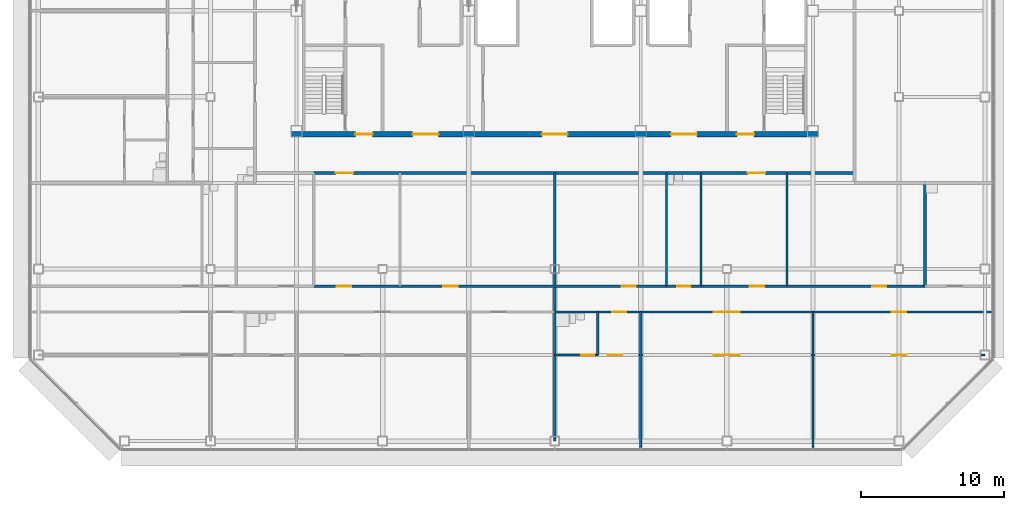
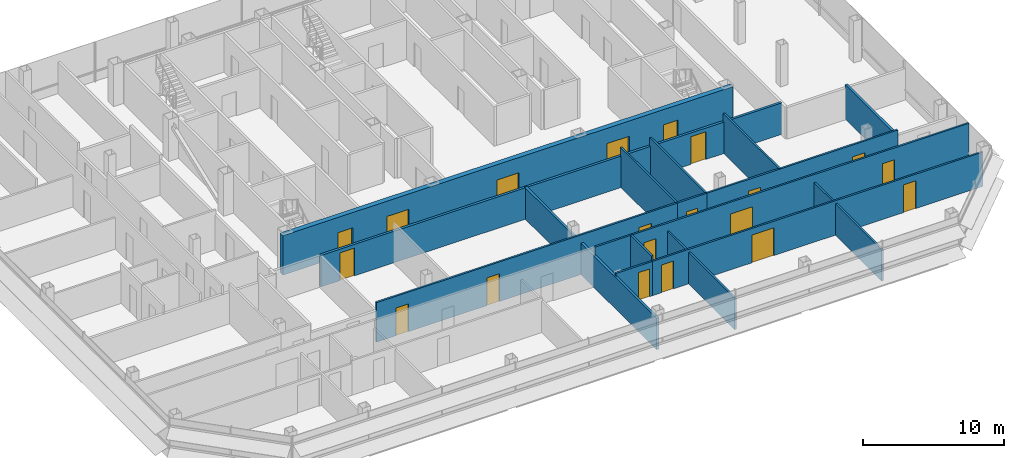
# One storey, part 21 of 26: 20 doors, 17 walls, 20 openings.
"""IFC4 building model written with IfcOpenShell, lengths in metres."""

from ifc_helpers import new_model, si_unit, direction, frame, frame_2d, origin, place, context, subcontext, project, spatial, rectangle, extrude, material, layer, layer_set, type_object, element, fill, save


model = new_model("IFC4")

# Units and contexts
model_context = context("Model", 3, precision=1e-05, world=origin(), true_north=direction((0.0, 1.0)))
body_context = subcontext(model_context, "Body", "Model", "MODEL_VIEW")
ifc_project = project(units=[si_unit("LENGTHUNIT", "METRE"), si_unit("AREAUNIT", "SQUARE_METRE"), si_unit("VOLUMEUNIT", "CUBIC_METRE"), si_unit("PLANEANGLEUNIT", "RADIAN"), si_unit("MASSUNIT", "GRAM", prefix="KILO")], contexts=[model_context])

# Site, building, storey
site_placement = place(None, origin())
site = spatial("IfcSite", under=ifc_project, at=site_placement, CompositionType="ELEMENT")
building_placement = place(site_placement, origin())
building = spatial("IfcBuilding", under=site, at=building_placement, Name="Sorahane Residences", CompositionType="ELEMENT")
storey_placement = place(building_placement, frame((0.0, 0.0, 215.39990234375)))
storey = spatial("IfcBuildingStorey", under=building, at=storey_placement, Name="L50", CompositionType="ELEMENT", Elevation=215.39990234375)

# Wall, openings, doors
ifc_material_1 = material(Name="Concrete blockwork C20 wall", Category="masonry")
ifc_layer_1 = layer(ifc_material_1, 0.199951171875)
ifc_layer_set_1 = layer_set([ifc_layer_1], Name="Corridor wall 200 EI 120")
wall_type_1 = type_object("IfcWallType", Name="Corridor wall 200 EI 120", PredefinedType="SOLIDWALL", material=ifc_layer_set_1)
wall_1_placement = place(storey_placement, frame((7.199951171875, 18.699951171875, 0.0), z_axis=(0.0, 0.0, 1.0), x_axis=(1.0, 0.0, 0.0)))
wall_1 = element("IfcWall", 1, at=wall_1_placement, inside=storey, type_object=wall_type_1, Name="L50 corridor wall", PredefinedType="SOLIDWALL", context=body_context, shape_type="SweptSolid", body=[
    extrude(rectangle(XDim=37.699951171875, YDim=0.199951171875, at=frame_2d((18.85009765625, 0.0))), origin(), (0.0, 0.0, 1.0), 2.72021484375),
])
opening_1_placement = place(wall_1_placement, frame((1.5400390625, 0.0, 0.0)))
opening_1 = element("IfcOpeningElement", 2, at=opening_1_placement, cuts=wall_1, Name="Opening L50-38", PredefinedType="OPENING", context=body_context, shape_type="SweptSolid", body=[
    extrude(rectangle(XDim=1.199951171875, YDim=2.39990234375, at=frame_2d((0.60009765625, 1.199951171875))), frame((0.0, 0.10986328125, 0.0), z_axis=(0.0, -1.0, 0.0), x_axis=(1.0, 0.0, 0.0)), (0.0, 0.0, 1.0), 0.219970703125),
])
opening_2_placement = place(wall_1_placement, frame((30.260009765625, 0.0, 0.0)))
opening_2 = element("IfcOpeningElement", 3, at=opening_2_placement, cuts=wall_1, Name="Opening L50-39", PredefinedType="OPENING", context=body_context, shape_type="SweptSolid", body=[
    extrude(rectangle(XDim=1.199951171875, YDim=2.39990234375, at=frame_2d((0.60009765625, 1.199951171875))), frame((0.0, 0.10986328125, 0.0), z_axis=(0.0, -1.0, 0.0), x_axis=(1.0, 0.0, 0.0)), (0.0, 0.0, 1.0), 0.219970703125),
])
ifc_material_2 = material(Name="Timber veneered fire door", Category="wood")
door_type_1 = type_object("IfcDoorType", Name="Flat entrance door 1200x2400 FD60", OperationType="NOTDEFINED", PredefinedType="DOOR", material=ifc_material_2)
door_1_placement = place(opening_1_placement, frame((1.199951171875, 0.0, 0.0), z_axis=(0.0, 0.0, 1.0), x_axis=(-1.0, 0.0, 0.0)))
door_1 = element("IfcDoor", 4, at=door_1_placement, inside=storey, type_object=door_type_1, Name="Flat entrance door L50-38", OperationType="SINGLE_SWING_RIGHT", OverallHeight=2.39990234375, OverallWidth=1.199951171875, PredefinedType="DOOR", context=body_context, shape_type="SweptSolid", body=[
    extrude(rectangle(XDim=1.199951171875, YDim=2.39990234375, at=frame_2d((0.60009765625, 1.199951171875))), frame((0.0, 0.02490234375, 0.0), z_axis=(0.0, -1.0, 0.0), x_axis=(1.0, 0.0, 0.0)), (0.0, 0.0, 1.0), 0.050048828125),
])
fill(opening_1, door_1)
door_2_placement = place(opening_2_placement, frame((1.199951171875, 0.0, 0.0), z_axis=(0.0, 0.0, 1.0), x_axis=(-1.0, 0.0, 0.0)))
door_2 = element("IfcDoor", 5, at=door_2_placement, inside=storey, type_object=door_type_1, Name="Flat entrance door L50-39", OperationType="SINGLE_SWING_LEFT", OverallHeight=2.39990234375, OverallWidth=1.199951171875, PredefinedType="DOOR", context=body_context, shape_type="SweptSolid", body=[
    extrude(rectangle(XDim=1.199951171875, YDim=2.39990234375, at=frame_2d((0.60009765625, 1.199951171875))), frame((0.0, 0.02490234375, 0.0), z_axis=(0.0, -1.0, 0.0), x_axis=(1.0, 0.0, 0.0)), (0.0, 0.0, 1.0), 0.050048828125),
])
fill(opening_2, door_2)

# Walls
ifc_material_3 = material(Name="Concrete blockwork C20 wall", Category="masonry")
ifc_layer_2 = layer(ifc_material_3, 0.199951171875)
ifc_layer_set_2 = layer_set([ifc_layer_2], Name="Kitchen wall 200 EI 180")
wall_type_2 = type_object("IfcWallType", Name="Kitchen wall 200 EI 180", PredefinedType="SOLIDWALL", material=ifc_layer_set_2)
wall_2_placement = place(storey_placement, frame((49.800048828125, 10.800048828125, 0.0), z_axis=(0.0, 0.0, 1.0), x_axis=(0.0, 1.0, 0.0)))
element("IfcWall", 6, at=wall_2_placement, inside=storey, type_object=wall_type_2, Name="L50 kitchen wall", PredefinedType="SOLIDWALL", context=body_context, shape_type="SweptSolid", body=[
    extrude(rectangle(XDim=7.199951171875, YDim=0.199951171875, at=frame_2d((3.60009765625, 0.0))), origin(), (0.0, 0.0, 1.0), 2.97021484375),
])
ifc_material_4 = material(Name="Gypsum board partition on steel studs", Category="steel")
ifc_layer_3 = layer(ifc_material_4, 0.14990234375)
ifc_layer_set_3 = layer_set([ifc_layer_3], Name="Partition 150 EI 90")
wall_type_3 = type_object("IfcWallType", Name="Partition 150 EI 90", PredefinedType="PARTITIONING", material=ifc_layer_set_3)
wall_3_placement = place(storey_placement, frame((30.0, -0.60009765625, 0.0), z_axis=(0.0, 0.0, 1.0), x_axis=(0.0, 1.0, 0.0)))
element("IfcWall", 7, at=wall_3_placement, inside=storey, type_object=wall_type_3, Name="L50 partition", PredefinedType="PARTITIONING", context=body_context, shape_type="SweptSolid", body=[
    extrude(rectangle(XDim=9.60009765625, YDim=0.14990234375, at=frame_2d((4.800048828125, 0.0))), origin(), (0.0, 0.0, 1.0), 2.72021484375),
])
wall_4_placement = place(storey_placement, frame((40.199951171875, 10.800048828125, 0.0), z_axis=(0.0, 0.0, 1.0), x_axis=(0.0, 1.0, 0.0)))
element("IfcWall", 8, at=wall_4_placement, inside=storey, type_object=wall_type_3, Name="L50 partition", PredefinedType="PARTITIONING", context=body_context, shape_type="SweptSolid", body=[
    extrude(rectangle(XDim=7.89990234375, YDim=0.14990234375, at=frame_2d((3.949951171875, 0.0))), origin(), (0.0, 0.0, 1.0), 3.420166015625),
])
wall_5_placement = place(storey_placement, frame((42.0, -0.60009765625, 0.0), z_axis=(0.0, 0.0, 1.0), x_axis=(0.0, 1.0, 0.0)))
element("IfcWall", 9, at=wall_5_placement, inside=storey, type_object=wall_type_3, Name="L50 partition", PredefinedType="PARTITIONING", context=body_context, shape_type="SweptSolid", body=[
    extrude(rectangle(XDim=9.60009765625, YDim=0.14990234375, at=frame_2d((4.800048828125, 0.0))), origin(), (0.0, 0.0, 1.0), 2.72021484375),
])

# Wall, openings, doors
wall_6_placement = place(storey_placement, frame((7.199951171875, 10.800048828125, 0.0), z_axis=(0.0, 0.0, 1.0), x_axis=(1.0, 0.0, 0.0)))
wall_6 = element("IfcWall", 10, at=wall_6_placement, inside=storey, type_object=wall_type_3, Name="L50 partition", PredefinedType="PARTITIONING", context=body_context, shape_type="SweptSolid", body=[
    extrude(rectangle(XDim=24.60009765625, YDim=0.14990234375, at=frame_2d((12.300048828125, 0.0))), origin(), (0.0, 0.0, 1.0), 3.420166015625),
])
opening_3_placement = place(wall_6_placement, frame((1.60009765625, 0.0, 0.0)))
opening_3 = element("IfcOpeningElement", 11, at=opening_3_placement, cuts=wall_6, Name="Opening L50-01", PredefinedType="OPENING", context=body_context, shape_type="SweptSolid", body=[
    extrude(rectangle(XDim=1.0, YDim=2.39990234375, at=frame_2d((0.5, 1.199951171875))), frame((0.0, 0.0849609375, 0.0), z_axis=(0.0, -1.0, 0.0), x_axis=(1.0, 0.0, 0.0)), (0.0, 0.0, 1.0), 0.169921875),
])
opening_4_placement = place(wall_6_placement, frame((9.0400390625, 0.0, 0.0)))
opening_4 = element("IfcOpeningElement", 12, at=opening_4_placement, cuts=wall_6, Name="Opening L50-05", PredefinedType="OPENING", context=body_context, shape_type="SweptSolid", body=[
    extrude(rectangle(XDim=1.0, YDim=2.39990234375, at=frame_2d((0.5, 1.199951171875))), frame((0.0, 0.0849609375, 0.0), z_axis=(0.0, -1.0, 0.0), x_axis=(1.0, 0.0, 0.0)), (0.0, 0.0, 1.0), 0.169921875),
])
opening_5_placement = place(wall_6_placement, frame((21.4599609375, 0.0, 0.0)))
opening_5 = element("IfcOpeningElement", 13, at=opening_5_placement, cuts=wall_6, Name="Opening L50-15", PredefinedType="OPENING", context=body_context, shape_type="SweptSolid", body=[
    extrude(rectangle(XDim=1.0, YDim=2.39990234375, at=frame_2d((0.5, 1.199951171875))), frame((0.0, 0.0849609375, 0.0), z_axis=(0.0, -1.0, 0.0), x_axis=(1.0, 0.0, 0.0)), (0.0, 0.0, 1.0), 0.169921875),
])
ifc_material_5 = material(Name="Timber veneered fire door", Category="wood")
door_type_2 = type_object("IfcDoorType", Name="Room door 1000x2400 FD30", OperationType="NOTDEFINED", PredefinedType="DOOR", material=ifc_material_5)
door_3_placement = place(opening_3_placement, frame((1.0, 0.0, 0.0), z_axis=(0.0, 0.0, 1.0), x_axis=(-1.0, 0.0, 0.0)))
door_3 = element("IfcDoor", 14, at=door_3_placement, inside=storey, type_object=door_type_2, Name="Room door L50-01", OperationType="SINGLE_SWING_RIGHT", OverallHeight=2.39990234375, OverallWidth=1.0, PredefinedType="DOOR", context=body_context, shape_type="SweptSolid", body=[
    extrude(rectangle(XDim=1.0, YDim=2.39990234375, at=frame_2d((0.5, 1.199951171875))), frame((0.0, 0.02490234375, 0.0), z_axis=(0.0, -1.0, 0.0), x_axis=(1.0, 0.0, 0.0)), (0.0, 0.0, 1.0), 0.050048828125),
])
fill(opening_3, door_3)
door_4_placement = place(opening_4_placement, origin())
door_4 = element("IfcDoor", 15, at=door_4_placement, inside=storey, type_object=door_type_2, Name="Room door L50-05", OperationType="SINGLE_SWING_LEFT", OverallHeight=2.39990234375, OverallWidth=1.0, PredefinedType="DOOR", context=body_context, shape_type="SweptSolid", body=[
    extrude(rectangle(XDim=1.0, YDim=2.39990234375, at=frame_2d((0.5, 1.199951171875))), frame((0.0, 0.02490234375, 0.0), z_axis=(0.0, -1.0, 0.0), x_axis=(1.0, 0.0, 0.0)), (0.0, 0.0, 1.0), 0.050048828125),
])
fill(opening_4, door_4)
door_5_placement = place(opening_5_placement, origin())
door_5 = element("IfcDoor", 16, at=door_5_placement, inside=storey, type_object=door_type_2, Name="Room door L50-15", OperationType="SINGLE_SWING_RIGHT", OverallHeight=2.39990234375, OverallWidth=1.0, PredefinedType="DOOR", context=body_context, shape_type="SweptSolid", body=[
    extrude(rectangle(XDim=1.0, YDim=2.39990234375, at=frame_2d((0.5, 1.199951171875))), frame((0.0, 0.02490234375, 0.0), z_axis=(0.0, -1.0, 0.0), x_axis=(1.0, 0.0, 0.0)), (0.0, 0.0, 1.0), 0.050048828125),
])
fill(opening_5, door_5)

wall_7_placement = place(storey_placement, frame((34.199951171875, 10.800048828125, 0.0), z_axis=(0.0, 0.0, 1.0), x_axis=(1.0, 0.0, 0.0)))
wall_7 = element("IfcWall", 17, at=wall_7_placement, inside=storey, type_object=wall_type_3, Name="L50 partition", PredefinedType="PARTITIONING", context=body_context, shape_type="SweptSolid", body=[
    extrude(rectangle(XDim=15.60009765625, YDim=0.14990234375, at=frame_2d((7.800048828125, 0.0))), origin(), (0.0, 0.0, 1.0), 3.420166015625),
])
opening_6_placement = place(wall_7_placement, frame((3.39990234375, 0.0, 0.0)))
opening_6 = element("IfcOpeningElement", 18, at=opening_6_placement, cuts=wall_7, Name="Opening L50-14", PredefinedType="OPENING", context=body_context, shape_type="SweptSolid", body=[
    extrude(rectangle(XDim=1.0, YDim=2.39990234375, at=frame_2d((0.5, 1.199951171875))), frame((0.0, 0.0849609375, 0.0), z_axis=(0.0, -1.0, 0.0), x_axis=(1.0, 0.0, 0.0)), (0.0, 0.0, 1.0), 0.169921875),
])
opening_7_placement = place(wall_7_placement, frame((11.919921875, 0.0, 0.0)))
opening_7 = element("IfcOpeningElement", 19, at=opening_7_placement, cuts=wall_7, Name="Opening L50-17", PredefinedType="OPENING", context=body_context, shape_type="SweptSolid", body=[
    extrude(rectangle(XDim=1.0, YDim=2.39990234375, at=frame_2d((0.5, 1.199951171875))), frame((0.0, 0.0849609375, 0.0), z_axis=(0.0, -1.0, 0.0), x_axis=(1.0, 0.0, 0.0)), (0.0, 0.0, 1.0), 0.169921875),
])
door_6_placement = place(opening_6_placement, frame((1.0, 0.0, 0.0), z_axis=(0.0, 0.0, 1.0), x_axis=(-1.0, 0.0, 0.0)))
door_6 = element("IfcDoor", 20, at=door_6_placement, inside=storey, type_object=door_type_2, Name="Room door L50-14", OperationType="SINGLE_SWING_LEFT", OverallHeight=2.39990234375, OverallWidth=1.0, PredefinedType="DOOR", context=body_context, shape_type="SweptSolid", body=[
    extrude(rectangle(XDim=1.0, YDim=2.39990234375, at=frame_2d((0.5, 1.199951171875))), frame((0.0, 0.02490234375, 0.0), z_axis=(0.0, -1.0, 0.0), x_axis=(1.0, 0.0, 0.0)), (0.0, 0.0, 1.0), 0.050048828125),
])
fill(opening_6, door_6)
door_7_placement = place(opening_7_placement, origin())
door_7 = element("IfcDoor", 21, at=door_7_placement, inside=storey, type_object=door_type_2, Name="Room door L50-17", OperationType="SINGLE_SWING_RIGHT", OverallHeight=2.39990234375, OverallWidth=1.0, PredefinedType="DOOR", context=body_context, shape_type="SweptSolid", body=[
    extrude(rectangle(XDim=1.0, YDim=2.39990234375, at=frame_2d((0.5, 1.199951171875))), frame((0.0, 0.02490234375, 0.0), z_axis=(0.0, -1.0, 0.0), x_axis=(1.0, 0.0, 0.0)), (0.0, 0.0, 1.0), 0.050048828125),
])
fill(opening_7, door_7)

wall_8_placement = place(storey_placement, frame((27.0, 6.0, 0.0), z_axis=(0.0, 0.0, 1.0), x_axis=(1.0, 0.0, 0.0)))
wall_8 = element("IfcWall", 22, at=wall_8_placement, inside=storey, type_object=wall_type_3, Name="L50 partition", PredefinedType="PARTITIONING", context=body_context, shape_type="SweptSolid", body=[
    extrude(rectangle(XDim=27.0, YDim=0.14990234375, at=frame_2d((13.5, 0.0))), origin(), (0.0, 0.0, 1.0), 2.97021484375),
])
opening_8_placement = place(wall_8_placement, frame((0.699951171875, 0.0, 0.0)))
opening_8 = element("IfcOpeningElement", 23, at=opening_8_placement, cuts=wall_8, Name="Opening L50-22", PredefinedType="OPENING", context=body_context, shape_type="SweptSolid", body=[
    extrude(rectangle(XDim=1.0, YDim=2.39990234375, at=frame_2d((0.5, 1.199951171875))), frame((0.0, 0.0849609375, 0.0), z_axis=(0.0, -1.0, 0.0), x_axis=(1.0, 0.0, 0.0)), (0.0, 0.0, 1.0), 0.169921875),
])
opening_9_placement = place(wall_8_placement, frame((8.10009765625, 0.0, 0.0)))
opening_9 = element("IfcOpeningElement", 24, at=opening_9_placement, cuts=wall_8, Name="Opening L50-24", PredefinedType="OPENING", context=body_context, shape_type="SweptSolid", body=[
    extrude(rectangle(XDim=1.800048828125, YDim=2.39990234375, at=frame_2d((0.89990234375, 1.199951171875))), frame((0.0, 0.0849609375, 0.0), z_axis=(0.0, -1.0, 0.0), x_axis=(1.0, 0.0, 0.0)), (0.0, 0.0, 1.0), 0.169921875),
])
opening_10_placement = place(wall_8_placement, frame((20.5, 0.0, 0.0)))
opening_10 = element("IfcOpeningElement", 25, at=opening_10_placement, cuts=wall_8, Name="Opening L50-25", PredefinedType="OPENING", context=body_context, shape_type="SweptSolid", body=[
    extrude(rectangle(XDim=1.0, YDim=2.39990234375, at=frame_2d((0.5, 1.199951171875))), frame((0.0, 0.0849609375, 0.0), z_axis=(0.0, -1.0, 0.0), x_axis=(1.0, 0.0, 0.0)), (0.0, 0.0, 1.0), 0.169921875),
])
ifc_material_6 = material(Name="Timber veneered fire door", Category="wood")
door_type_3 = type_object("IfcDoorType", Name="Double door 1800x2400 FD30", OperationType="NOTDEFINED", PredefinedType="DOOR", material=ifc_material_6)
door_8_placement = place(opening_9_placement, frame((1.800048828125, 0.0, 0.0), z_axis=(0.0, 0.0, 1.0), x_axis=(-1.0, 0.0, 0.0)))
door_8 = element("IfcDoor", 26, at=door_8_placement, inside=storey, type_object=door_type_3, Name="Double door L50-24", OperationType="SINGLE_SWING_LEFT", OverallHeight=2.39990234375, OverallWidth=1.800048828125, PredefinedType="DOOR", context=body_context, shape_type="SweptSolid", body=[
    extrude(rectangle(XDim=1.800048828125, YDim=2.39990234375, at=frame_2d((0.89990234375, 1.199951171875))), frame((0.0, 0.02490234375, 0.0), z_axis=(0.0, -1.0, 0.0), x_axis=(1.0, 0.0, 0.0)), (0.0, 0.0, 1.0), 0.050048828125),
])
fill(opening_9, door_8)
door_9_placement = place(opening_8_placement, frame((1.0, 0.0, 0.0), z_axis=(0.0, 0.0, 1.0), x_axis=(-1.0, 0.0, 0.0)))
door_9 = element("IfcDoor", 27, at=door_9_placement, inside=storey, type_object=door_type_2, Name="Room door L50-22", OperationType="SINGLE_SWING_LEFT", OverallHeight=2.39990234375, OverallWidth=1.0, PredefinedType="DOOR", context=body_context, shape_type="SweptSolid", body=[
    extrude(rectangle(XDim=1.0, YDim=2.39990234375, at=frame_2d((0.5, 1.199951171875))), frame((0.0, 0.02490234375, 0.0), z_axis=(0.0, -1.0, 0.0), x_axis=(1.0, 0.0, 0.0)), (0.0, 0.0, 1.0), 0.050048828125),
])
fill(opening_8, door_9)
door_10_placement = place(opening_10_placement, frame((1.0, 0.0, 0.0), z_axis=(0.0, 0.0, 1.0), x_axis=(-1.0, 0.0, 0.0)))
door_10 = element("IfcDoor", 28, at=door_10_placement, inside=storey, type_object=door_type_2, Name="Room door L50-25", OperationType="SINGLE_SWING_RIGHT", OverallHeight=2.39990234375, OverallWidth=1.0, PredefinedType="DOOR", context=body_context, shape_type="SweptSolid", body=[
    extrude(rectangle(XDim=1.0, YDim=2.39990234375, at=frame_2d((0.5, 1.199951171875))), frame((0.0, 0.02490234375, 0.0), z_axis=(0.0, -1.0, 0.0), x_axis=(1.0, 0.0, 0.0)), (0.0, 0.0, 1.0), 0.050048828125),
])
fill(opening_10, door_10)

wall_9_placement = place(storey_placement, frame((27.0, 9.0, 0.0), z_axis=(0.0, 0.0, 1.0), x_axis=(1.0, 0.0, 0.0)))
wall_9 = element("IfcWall", 29, at=wall_9_placement, inside=storey, type_object=wall_type_3, Name="L50 partition", PredefinedType="PARTITIONING", context=body_context, shape_type="SweptSolid", body=[
    extrude(rectangle(XDim=27.60009765625, YDim=0.14990234375, at=frame_2d((13.800048828125, 0.0))), origin(), (0.0, 0.0, 1.0), 3.420166015625),
])
opening_11_placement = place(wall_9_placement, frame((1.0, 0.0, 0.0)))
opening_11 = element("IfcOpeningElement", 30, at=opening_11_placement, cuts=wall_9, Name="Opening L50-19", PredefinedType="OPENING", context=body_context, shape_type="SweptSolid", body=[
    extrude(rectangle(XDim=1.0, YDim=2.39990234375, at=frame_2d((0.5, 1.199951171875))), frame((0.0, 0.0849609375, 0.0), z_axis=(0.0, -1.0, 0.0), x_axis=(1.0, 0.0, 0.0)), (0.0, 0.0, 1.0), 0.169921875),
])
opening_12_placement = place(wall_9_placement, frame((8.10009765625, 0.0, 0.0)))
opening_12 = element("IfcOpeningElement", 31, at=opening_12_placement, cuts=wall_9, Name="Opening L50-20", PredefinedType="OPENING", context=body_context, shape_type="SweptSolid", body=[
    extrude(rectangle(XDim=1.800048828125, YDim=2.39990234375, at=frame_2d((0.89990234375, 1.199951171875))), frame((0.0, 0.0849609375, 0.0), z_axis=(0.0, -1.0, 0.0), x_axis=(1.0, 0.0, 0.0)), (0.0, 0.0, 1.0), 0.169921875),
])
opening_13_placement = place(wall_9_placement, frame((20.5, 0.0, 0.0)))
opening_13 = element("IfcOpeningElement", 32, at=opening_13_placement, cuts=wall_9, Name="Opening L50-21", PredefinedType="OPENING", context=body_context, shape_type="SweptSolid", body=[
    extrude(rectangle(XDim=1.0, YDim=2.39990234375, at=frame_2d((0.5, 1.199951171875))), frame((0.0, 0.0849609375, 0.0), z_axis=(0.0, -1.0, 0.0), x_axis=(1.0, 0.0, 0.0)), (0.0, 0.0, 1.0), 0.169921875),
])
door_11_placement = place(opening_12_placement, frame((1.800048828125, 0.0, 0.0), z_axis=(0.0, 0.0, 1.0), x_axis=(-1.0, 0.0, 0.0)))
door_11 = element("IfcDoor", 33, at=door_11_placement, inside=storey, type_object=door_type_3, Name="Double door L50-20", OperationType="SINGLE_SWING_RIGHT", OverallHeight=2.39990234375, OverallWidth=1.800048828125, PredefinedType="DOOR", context=body_context, shape_type="SweptSolid", body=[
    extrude(rectangle(XDim=1.800048828125, YDim=2.39990234375, at=frame_2d((0.89990234375, 1.199951171875))), frame((0.0, 0.02490234375, 0.0), z_axis=(0.0, -1.0, 0.0), x_axis=(1.0, 0.0, 0.0)), (0.0, 0.0, 1.0), 0.050048828125),
])
fill(opening_12, door_11)
door_12_placement = place(opening_11_placement, frame((1.0, 0.0, 0.0), z_axis=(0.0, 0.0, 1.0), x_axis=(-1.0, 0.0, 0.0)))
door_12 = element("IfcDoor", 34, at=door_12_placement, inside=storey, type_object=door_type_2, Name="Room door L50-19", OperationType="SINGLE_SWING_RIGHT", OverallHeight=2.39990234375, OverallWidth=1.0, PredefinedType="DOOR", context=body_context, shape_type="SweptSolid", body=[
    extrude(rectangle(XDim=1.0, YDim=2.39990234375, at=frame_2d((0.5, 1.199951171875))), frame((0.0, 0.02490234375, 0.0), z_axis=(0.0, -1.0, 0.0), x_axis=(1.0, 0.0, 0.0)), (0.0, 0.0, 1.0), 0.050048828125),
])
fill(opening_11, door_12)
door_13_placement = place(opening_13_placement, frame((1.0, 0.0, 0.0), z_axis=(0.0, 0.0, 1.0), x_axis=(-1.0, 0.0, 0.0)))
door_13 = element("IfcDoor", 35, at=door_13_placement, inside=storey, type_object=door_type_2, Name="Room door L50-21", OperationType="SINGLE_SWING_RIGHT", OverallHeight=2.39990234375, OverallWidth=1.0, PredefinedType="DOOR", context=body_context, shape_type="SweptSolid", body=[
    extrude(rectangle(XDim=1.0, YDim=2.39990234375, at=frame_2d((0.5, 1.199951171875))), frame((0.0, 0.02490234375, 0.0), z_axis=(0.0, -1.0, 0.0), x_axis=(1.0, 0.0, 0.0)), (0.0, 0.0, 1.0), 0.050048828125),
])
fill(opening_13, door_13)

# Wall
ifc_material_7 = material(Name="Concrete blockwork C20 wall", Category="masonry")
ifc_layer_4 = layer(ifc_material_7, 0.199951171875)
ifc_layer_set_4 = layer_set([ifc_layer_4], Name="Party wall 200 EI 120")
wall_type_4 = type_object("IfcWallType", Name="Party wall 200 EI 120", PredefinedType="SOLIDWALL", material=ifc_layer_set_4)
wall_10_placement = place(storey_placement, frame((24.0, 0.0, 0.0), z_axis=(0.0, 0.0, 1.0), x_axis=(0.0, 1.0, 0.0)))
element("IfcWall", 36, at=wall_10_placement, inside=storey, type_object=wall_type_4, Name="L50 party wall", PredefinedType="SOLIDWALL", context=body_context, shape_type="SweptSolid", body=[
    extrude(rectangle(XDim=18.699951171875, YDim=0.199951171875, at=frame_2d((9.35009765625, 0.0))), origin(), (0.0, 0.0, 1.0), 2.72021484375),
])

# Wall, openings, doors
ifc_material_8 = material(Name="Concrete C30", Category="concrete")
ifc_layer_5 = layer(ifc_material_8, 0.39990234375)
ifc_layer_set_5 = layer_set([ifc_layer_5], Name="Waiting hall wall 400 EI 120")
wall_type_5 = type_object("IfcWallType", Name="Waiting hall wall 400 EI 120", PredefinedType="SOLIDWALL", material=ifc_layer_set_5)
wall_11_placement = place(storey_placement, frame((5.60009765625, 21.39990234375, 0.0), z_axis=(0.0, 0.0, 1.0), x_axis=(1.0, 0.0, 0.0)))
wall_11 = element("IfcWall", 37, at=wall_11_placement, inside=storey, type_object=wall_type_5, Name="L50 waiting hall wall", PredefinedType="SOLIDWALL", context=body_context, shape_type="SweptSolid", body=[
    extrude(rectangle(XDim=36.7998046875, YDim=0.39990234375, at=frame_2d((18.39990234375, 0.0))), origin(), (0.0, 0.0, 1.0), 3.420166015625),
])
opening_14_placement = place(wall_11_placement, frame((8.5, 0.0, 0.0)))
opening_14 = element("IfcOpeningElement", 38, at=opening_14_placement, cuts=wall_11, Name="Opening L50-C01", PredefinedType="OPENING", context=body_context, shape_type="SweptSolid", body=[
    extrude(rectangle(XDim=1.800048828125, YDim=2.10009765625, at=frame_2d((0.89990234375, 1.050048828125))), frame((0.0, 0.2099609375, 0.0), z_axis=(0.0, -1.0, 0.0), x_axis=(1.0, 0.0, 0.0)), (0.0, 0.0, 1.0), 0.419921875),
])
opening_15_placement = place(wall_11_placement, frame((17.5, 0.0, 0.0)))
opening_15 = element("IfcOpeningElement", 39, at=opening_15_placement, cuts=wall_11, Name="Opening L50-C03", PredefinedType="OPENING", context=body_context, shape_type="SweptSolid", body=[
    extrude(rectangle(XDim=1.800048828125, YDim=2.10009765625, at=frame_2d((0.89990234375, 1.050048828125))), frame((0.0, 0.2099609375, 0.0), z_axis=(0.0, -1.0, 0.0), x_axis=(1.0, 0.0, 0.0)), (0.0, 0.0, 1.0), 0.419921875),
])
opening_16_placement = place(wall_11_placement, frame((26.5, 0.0, 0.0)))
opening_16 = element("IfcOpeningElement", 40, at=opening_16_placement, cuts=wall_11, Name="Opening L50-C04", PredefinedType="OPENING", context=body_context, shape_type="SweptSolid", body=[
    extrude(rectangle(XDim=1.800048828125, YDim=2.10009765625, at=frame_2d((0.89990234375, 1.050048828125))), frame((0.0, 0.2099609375, 0.0), z_axis=(0.0, -1.0, 0.0), x_axis=(1.0, 0.0, 0.0)), (0.0, 0.0, 1.0), 0.419921875),
])
opening_17_placement = place(wall_11_placement, frame((4.5, 0.0, 0.0)))
opening_17 = element("IfcOpeningElement", 41, at=opening_17_placement, cuts=wall_11, Name="Opening L50-C05", PredefinedType="OPENING", context=body_context, shape_type="SweptSolid", body=[
    extrude(rectangle(XDim=1.199951171875, YDim=2.10009765625, at=frame_2d((0.60009765625, 1.050048828125))), frame((0.0, 0.2099609375, 0.0), z_axis=(0.0, -1.0, 0.0), x_axis=(1.0, 0.0, 0.0)), (0.0, 0.0, 1.0), 0.419921875),
])
opening_18_placement = place(wall_11_placement, frame((31.10009765625, 0.0, 0.0)))
opening_18 = element("IfcOpeningElement", 42, at=opening_18_placement, cuts=wall_11, Name="Opening L50-C06", PredefinedType="OPENING", context=body_context, shape_type="SweptSolid", body=[
    extrude(rectangle(XDim=1.199951171875, YDim=2.10009765625, at=frame_2d((0.60009765625, 1.050048828125))), frame((0.0, 0.2099609375, 0.0), z_axis=(0.0, -1.0, 0.0), x_axis=(1.0, 0.0, 0.0)), (0.0, 0.0, 1.0), 0.419921875),
])
ifc_material_9 = material(Name="Steel", Category="steel")
door_type_4 = type_object("IfcDoorType", Name="Stair front room door 1200x2100 FD120", OperationType="NOTDEFINED", PredefinedType="DOOR", material=ifc_material_9)
door_14_placement = place(opening_17_placement, frame((1.199951171875, 0.0, 0.0), z_axis=(0.0, 0.0, 1.0), x_axis=(-1.0, 0.0, 0.0)))
door_14 = element("IfcDoor", 43, at=door_14_placement, inside=storey, type_object=door_type_4, Name="Stair front room door Stair S4 front room L50", OperationType="SINGLE_SWING_LEFT", OverallHeight=2.10009765625, OverallWidth=1.199951171875, PredefinedType="DOOR", context=body_context, shape_type="SweptSolid", body=[
    extrude(rectangle(XDim=1.199951171875, YDim=2.10009765625, at=frame_2d((0.60009765625, 1.050048828125))), frame((0.0, 0.02490234375, 0.0), z_axis=(0.0, -1.0, 0.0), x_axis=(1.0, 0.0, 0.0)), (0.0, 0.0, 1.0), 0.050048828125),
])
fill(opening_17, door_14)
door_15_placement = place(opening_18_placement, frame((1.199951171875, 0.0, 0.0), z_axis=(0.0, 0.0, 1.0), x_axis=(-1.0, 0.0, 0.0)))
door_15 = element("IfcDoor", 44, at=door_15_placement, inside=storey, type_object=door_type_4, Name="Stair front room door Stair S5 front room L50", OperationType="SINGLE_SWING_LEFT", OverallHeight=2.10009765625, OverallWidth=1.199951171875, PredefinedType="DOOR", context=body_context, shape_type="SweptSolid", body=[
    extrude(rectangle(XDim=1.199951171875, YDim=2.10009765625, at=frame_2d((0.60009765625, 1.050048828125))), frame((0.0, 0.02490234375, 0.0), z_axis=(0.0, -1.0, 0.0), x_axis=(1.0, 0.0, 0.0)), (0.0, 0.0, 1.0), 0.050048828125),
])
fill(opening_18, door_15)
ifc_material_10 = material(Name="Steel", Category="steel")
door_type_5 = type_object("IfcDoorType", Name="Waiting hall door 1800x2100 FD60", OperationType="NOTDEFINED", PredefinedType="DOOR", material=ifc_material_10)
door_16_placement = place(opening_14_placement, frame((1.800048828125, 0.0, 0.0), z_axis=(0.0, 0.0, 1.0), x_axis=(-1.0, 0.0, 0.0)))
door_16 = element("IfcDoor", 45, at=door_16_placement, inside=storey, type_object=door_type_5, Name="Waiting hall door Residents' waiting hall west L50", OperationType="SINGLE_SWING_LEFT", OverallHeight=2.10009765625, OverallWidth=1.800048828125, PredefinedType="DOOR", context=body_context, shape_type="SweptSolid", body=[
    extrude(rectangle(XDim=1.800048828125, YDim=2.10009765625, at=frame_2d((0.89990234375, 1.050048828125))), frame((0.0, 0.02490234375, 0.0), z_axis=(0.0, -1.0, 0.0), x_axis=(1.0, 0.0, 0.0)), (0.0, 0.0, 1.0), 0.050048828125),
])
fill(opening_14, door_16)
door_17_placement = place(opening_15_placement, frame((1.800048828125, 0.0, 0.0), z_axis=(0.0, 0.0, 1.0), x_axis=(-1.0, 0.0, 0.0)))
door_17 = element("IfcDoor", 46, at=door_17_placement, inside=storey, type_object=door_type_5, Name="Waiting hall door Residents' waiting hall east L50", OperationType="SINGLE_SWING_LEFT", OverallHeight=2.10009765625, OverallWidth=1.800048828125, PredefinedType="DOOR", context=body_context, shape_type="SweptSolid", body=[
    extrude(rectangle(XDim=1.800048828125, YDim=2.10009765625, at=frame_2d((0.89990234375, 1.050048828125))), frame((0.0, 0.02490234375, 0.0), z_axis=(0.0, -1.0, 0.0), x_axis=(1.0, 0.0, 0.0)), (0.0, 0.0, 1.0), 0.050048828125),
])
fill(opening_15, door_17)
door_18_placement = place(opening_16_placement, frame((1.800048828125, 0.0, 0.0), z_axis=(0.0, 0.0, 1.0), x_axis=(-1.0, 0.0, 0.0)))
door_18 = element("IfcDoor", 47, at=door_18_placement, inside=storey, type_object=door_type_5, Name="Waiting hall door Residents' waiting hall east L50", OperationType="SINGLE_SWING_LEFT", OverallHeight=2.10009765625, OverallWidth=1.800048828125, PredefinedType="DOOR", context=body_context, shape_type="SweptSolid", body=[
    extrude(rectangle(XDim=1.800048828125, YDim=2.10009765625, at=frame_2d((0.89990234375, 1.050048828125))), frame((0.0, 0.02490234375, 0.0), z_axis=(0.0, -1.0, 0.0), x_axis=(1.0, 0.0, 0.0)), (0.0, 0.0, 1.0), 0.050048828125),
])
fill(opening_16, door_18)

# Walls
ifc_material_11 = material(Name="Gypsum board partition on steel studs", Category="steel")
ifc_layer_6 = layer(ifc_material_11, 0.14990234375)
ifc_layer_set_6 = layer_set([ifc_layer_6], Name="Wet wall 150 EI 90")
wall_type_6 = type_object("IfcWallType", Name="Wet wall 150 EI 90", PredefinedType="PARTITIONING", material=ifc_layer_set_6)
wall_12_placement = place(storey_placement, frame((27.0, 6.0, 0.0), z_axis=(0.0, 0.0, 1.0), x_axis=(0.0, 1.0, 0.0)))
element("IfcWall", 48, at=wall_12_placement, inside=storey, type_object=wall_type_6, Name="L50 wet wall", PredefinedType="PARTITIONING", context=body_context, shape_type="SweptSolid", body=[
    extrude(rectangle(XDim=3.0, YDim=0.14990234375, at=frame_2d((1.5, 0.0))), origin(), (0.0, 0.0, 1.0), 3.420166015625),
])
for number, where, z_axis, x_axis, name in (
    (49, (31.800048828125, 10.800048828125, 0.0), (0.0, 0.0, 1.0), (0.0, 1.0, 0.0), "L50 wet wall"),
    (50, (34.199951171875, 10.800048828125, 0.0), (0.0, 0.0, 1.0), (0.0, 1.0, 0.0), "L50 wet wall"),
):
    element("IfcWall", number, at=place(storey_placement, frame(where, z_axis=z_axis, x_axis=x_axis)), inside=storey, type_object=wall_type_6, Name=name, PredefinedType="PARTITIONING", context=body_context, shape_type="SweptSolid", body=[
        extrude(rectangle(XDim=7.89990234375, YDim=0.14990234375, at=frame_2d((3.949951171875, 0.0))), origin(), (0.0, 0.0, 1.0), 3.420166015625),
    ])

# Wall, opening, door
wall_13_placement = place(storey_placement, frame((31.800048828125, 10.800048828125, 0.0), z_axis=(0.0, 0.0, 1.0), x_axis=(1.0, 0.0, 0.0)))
wall_13 = element("IfcWall", 51, at=wall_13_placement, inside=storey, type_object=wall_type_6, Name="L50 wet wall", PredefinedType="PARTITIONING", context=body_context, shape_type="SweptSolid", body=[
    extrude(rectangle(XDim=2.39990234375, YDim=0.14990234375, at=frame_2d((1.199951171875, 0.0))), origin(), (0.0, 0.0, 1.0), 3.420166015625),
])
opening_19_placement = place(wall_13_placement, frame((0.75, 0.0, 0.0)))
opening_19 = element("IfcOpeningElement", 52, at=opening_19_placement, cuts=wall_13, Name="Opening L50-16", PredefinedType="OPENING", context=body_context, shape_type="SweptSolid", body=[
    extrude(rectangle(XDim=0.89990234375, YDim=2.39990234375, at=frame_2d((0.449951171875, 1.199951171875))), frame((0.0, 0.0849609375, 0.0), z_axis=(0.0, -1.0, 0.0), x_axis=(1.0, 0.0, 0.0)), (0.0, 0.0, 1.0), 0.169921875),
])
ifc_material_12 = material(Name="Timber veneered fire door", Category="wood")
door_type_6 = type_object("IfcDoorType", Name="Bathroom door 900x2400 FD30", OperationType="NOTDEFINED", PredefinedType="DOOR", material=ifc_material_12)
door_19_placement = place(opening_19_placement, frame((0.89990234375, 0.0, 0.0), z_axis=(0.0, 0.0, 1.0), x_axis=(-1.0, 0.0, 0.0)))
door_19 = element("IfcDoor", 53, at=door_19_placement, inside=storey, type_object=door_type_6, Name="Bathroom door L50-16", OperationType="SINGLE_SWING_RIGHT", OverallHeight=2.39990234375, OverallWidth=0.89990234375, PredefinedType="DOOR", context=body_context, shape_type="SweptSolid", body=[
    extrude(rectangle(XDim=0.89990234375, YDim=2.39990234375, at=frame_2d((0.449951171875, 1.199951171875))), frame((0.0, 0.02490234375, 0.0), z_axis=(0.0, -1.0, 0.0), x_axis=(1.0, 0.0, 0.0)), (0.0, 0.0, 1.0), 0.050048828125),
])
fill(opening_19, door_19)

wall_14_placement = place(storey_placement, frame((24.0, 6.0, 0.0), z_axis=(0.0, 0.0, 1.0), x_axis=(1.0, 0.0, 0.0)))
wall_14 = element("IfcWall", 54, at=wall_14_placement, inside=storey, type_object=wall_type_6, Name="L50 wet wall", PredefinedType="PARTITIONING", context=body_context, shape_type="SweptSolid", body=[
    extrude(rectangle(XDim=3.0, YDim=0.14990234375, at=frame_2d((1.5, 0.0))), origin(), (0.0, 0.0, 1.0), 2.97021484375),
])
opening_20_placement = place(wall_14_placement, frame((1.85009765625, 0.0, 0.0)))
opening_20 = element("IfcOpeningElement", 55, at=opening_20_placement, cuts=wall_14, Name="Opening L50-23", PredefinedType="OPENING", context=body_context, shape_type="SweptSolid", body=[
    extrude(rectangle(XDim=0.89990234375, YDim=2.39990234375, at=frame_2d((0.449951171875, 1.199951171875))), frame((0.0, 0.0849609375, 0.0), z_axis=(0.0, -1.0, 0.0), x_axis=(1.0, 0.0, 0.0)), (0.0, 0.0, 1.0), 0.169921875),
])
door_20_placement = place(opening_20_placement, frame((0.89990234375, 0.0, 0.0), z_axis=(0.0, 0.0, 1.0), x_axis=(-1.0, 0.0, 0.0)))
door_20 = element("IfcDoor", 56, at=door_20_placement, inside=storey, type_object=door_type_6, Name="Bathroom door L50-23", OperationType="SINGLE_SWING_RIGHT", OverallHeight=2.39990234375, OverallWidth=0.89990234375, PredefinedType="DOOR", context=body_context, shape_type="SweptSolid", body=[
    extrude(rectangle(XDim=0.89990234375, YDim=2.39990234375, at=frame_2d((0.449951171875, 1.199951171875))), frame((0.0, 0.02490234375, 0.0), z_axis=(0.0, -1.0, 0.0), x_axis=(1.0, 0.0, 0.0)), (0.0, 0.0, 1.0), 0.050048828125),
])
fill(opening_20, door_20)

# Wall
wall_15_placement = place(storey_placement, frame((24.0, 9.0, 0.0), z_axis=(0.0, 0.0, 1.0), x_axis=(1.0, 0.0, 0.0)))
element("IfcWall", 57, at=wall_15_placement, inside=storey, type_object=wall_type_6, Name="L50 wet wall", PredefinedType="PARTITIONING", context=body_context, shape_type="SweptSolid", body=[
    extrude(rectangle(XDim=3.0, YDim=0.14990234375, at=frame_2d((1.5, 0.0))), origin(), (0.0, 0.0, 1.0), 3.420166015625),
])

save(model, "model.ifc")
